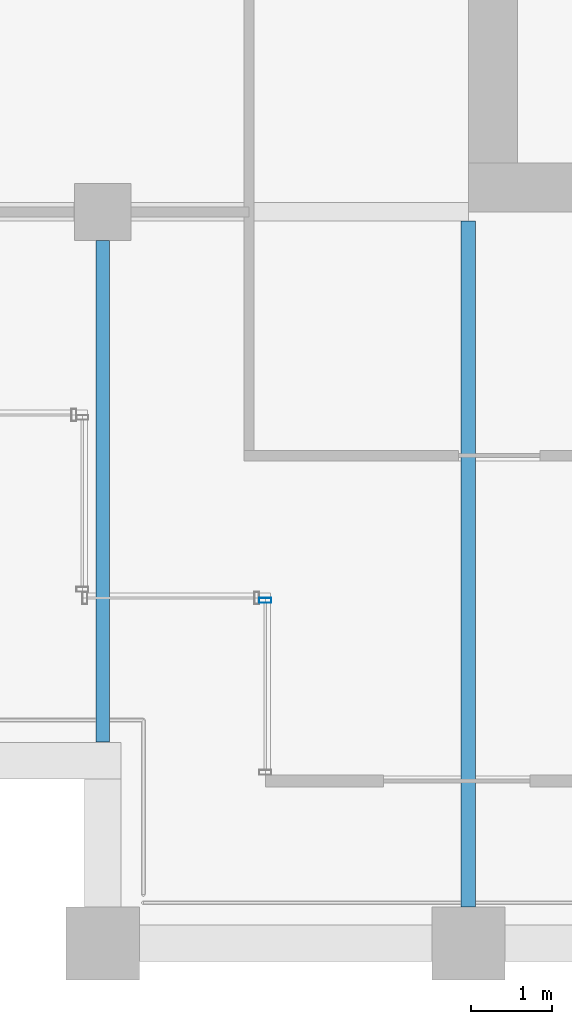
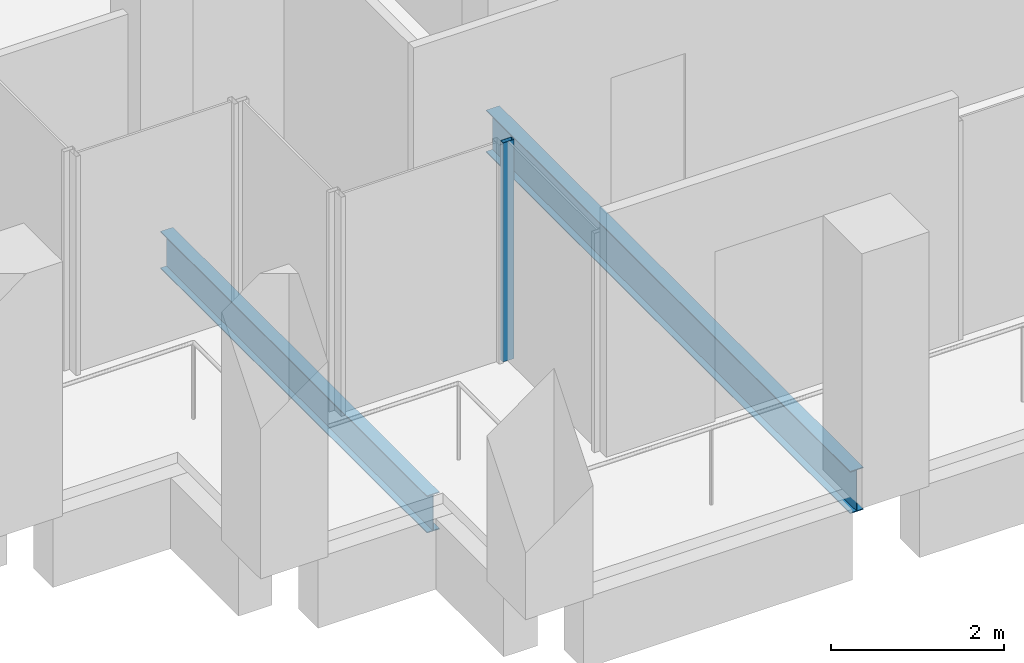
# One storey, part 29 of 40: 2 beams, 1 member, 1 element without a shape of its own.
"""IFC4 building model written with IfcOpenShell, lengths in metres."""

from ifc_helpers import new_model, si_unit, direction, frame, origin, origin_2d, place, context, subcontext, project, spatial, hollow_rectangle, i_section, extrude, material, material_profile, profile_set, type_object, element, aggregate, save


model = new_model("IFC4")

# Units and contexts
model_context = context("Model", 3, precision=1e-05, world=origin(), true_north=direction((0.0, 1.0)))
body_context = subcontext(model_context, "Body", "Model", "MODEL_VIEW")
ifc_project = project(units=[si_unit("LENGTHUNIT", "METRE"), si_unit("AREAUNIT", "SQUARE_METRE"), si_unit("VOLUMEUNIT", "CUBIC_METRE"), si_unit("PLANEANGLEUNIT", "RADIAN"), si_unit("MASSUNIT", "GRAM", prefix="KILO")], contexts=[model_context])

# Site, building, storey
site_placement = place(None, origin())
site = spatial("IfcSite", under=ifc_project, at=site_placement, CompositionType="ELEMENT")
building_placement = place(site_placement, origin())
building = spatial("IfcBuilding", under=site, at=building_placement, Name="Altepetl Exchange Towers", CompositionType="ELEMENT")
storey_placement = place(building_placement, frame((0.0, 0.0, 158.199951171875)))
storey = spatial("IfcBuildingStorey", under=building, at=storey_placement, Name="L39", CompositionType="ELEMENT", Elevation=158.199951171875)

# Beams
ifc_material_1 = material(Name="Steel S355", Category="steel")
ifc_material_profile_1 = material_profile(ifc_material_1, i_section(OverallWidth=0.166015625, OverallDepth=0.529052734375, WebThickness=0.009765625, FlangeThickness=0.013671875, at=origin_2d()), Name="W21X50")
ifc_profile_set_1 = profile_set([ifc_material_profile_1], Name="Steel S355")
beam_type_1 = type_object("IfcBeamType", Name="Floor beam W21X50", PredefinedType="BEAM", material=ifc_profile_set_1)
beam_1_placement = place(storey_placement, frame((99.0, 29.47509765625, -0.41455078125), z_axis=(0.0, 1.0, 0.0), x_axis=(-1.0, 0.0, 0.0)))
element("IfcBeam", 1, at=beam_1_placement, inside=storey, type_object=beam_type_1, Name="bm:B:L39:000", PredefinedType="BEAM", context=body_context, shape_type="SweptSolid", body=[
    extrude(i_section(OverallWidth=0.166015625, OverallDepth=0.529052734375, WebThickness=0.009765625, FlangeThickness=0.013671875, at=origin_2d()), origin(), (0.0, 0.0, 1.0), 6.1748046875),
])
ifc_material_profile_2 = material_profile(ifc_material_1, i_section(OverallWidth=0.177978515625, OverallDepth=0.59912109375, WebThickness=0.010009765625, FlangeThickness=0.0126953125, at=origin_2d()), Name="W24X55")
ifc_profile_set_2 = profile_set([ifc_material_profile_2], Name="Steel S355")
beam_type_2 = type_object("IfcBeamType", Name="Floor beam W24X55", PredefinedType="BEAM", material=ifc_profile_set_2)
beam_2_placement = place(storey_placement, frame((103.5, 27.449951171875, -0.449462890625), z_axis=(0.0, 1.0, 0.0), x_axis=(-1.0, 0.0, 0.0)))
element("IfcBeam", 2, at=beam_2_placement, inside=storey, type_object=beam_type_2, Name="bm:B:L39:001", PredefinedType="BEAM", context=body_context, shape_type="SweptSolid", body=[
    extrude(i_section(OverallWidth=0.177978515625, OverallDepth=0.59912109375, WebThickness=0.010009765625, FlangeThickness=0.0126953125, at=origin_2d()), origin(), (0.0, 0.0, 1.0), 8.43603515625),
])

# Curtain wall, member
ifc_material_2 = material(Name="Aluminium 6063-T6 glazing", Category="aluminium")
curtain_wall_type = type_object("IfcCurtainWallType", Name="Loggia glazing system", PredefinedType="NOTDEFINED", material=ifc_material_2)
curtain_wall_placement = place(storey_placement, origin())
curtain_wall = element("IfcCurtainWall", 3, at=curtain_wall_placement, inside=storey, type_object=curtain_wall_type, Name="CW1 run", PredefinedType="NOTDEFINED")
ifc_material_3 = material(Name="Aluminium 6063-T6", Category="aluminium")
ifc_material_profile_3 = material_profile(ifc_material_3, hollow_rectangle(XDim=0.06005859375, YDim=0.14990234375, WallThickness=0.0029296875, at=origin_2d()), Name="Mullion 60x150 aluminium")
ifc_profile_set_3 = profile_set([ifc_material_profile_3], Name="Aluminium 6063-T6")
member_type = type_object("IfcMemberType", Name="Mullion 60x150 aluminium", PredefinedType="MULLION", material=ifc_profile_set_3)
member_placement = place(storey_placement, frame((101.0, 31.219970703125, 0.0), z_axis=(0.0, 0.0, 1.0), x_axis=(0.0, -1.0, 0.0)))
member = element("IfcMember", 4, at=member_placement, type_object=member_type, Name="MU1 mullion", PredefinedType="MULLION", context=body_context, shape_type="SweptSolid", body=[
    extrude(hollow_rectangle(XDim=0.06005859375, YDim=0.14990234375, WallThickness=0.0029296875, at=origin_2d()), origin(), (0.0, 0.0, 1.0), 3.10009765625),
])
aggregate(curtain_wall, [member])

save(model, "model.ifc")
